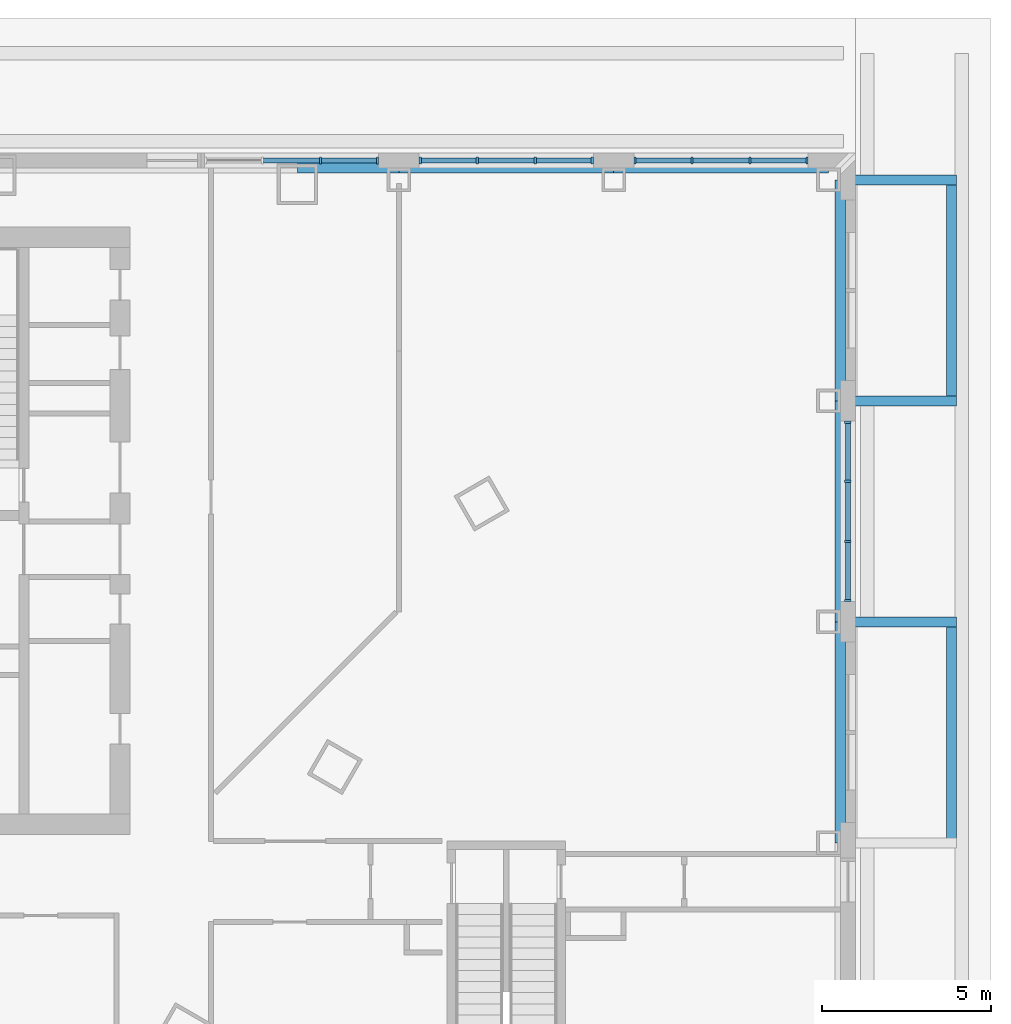
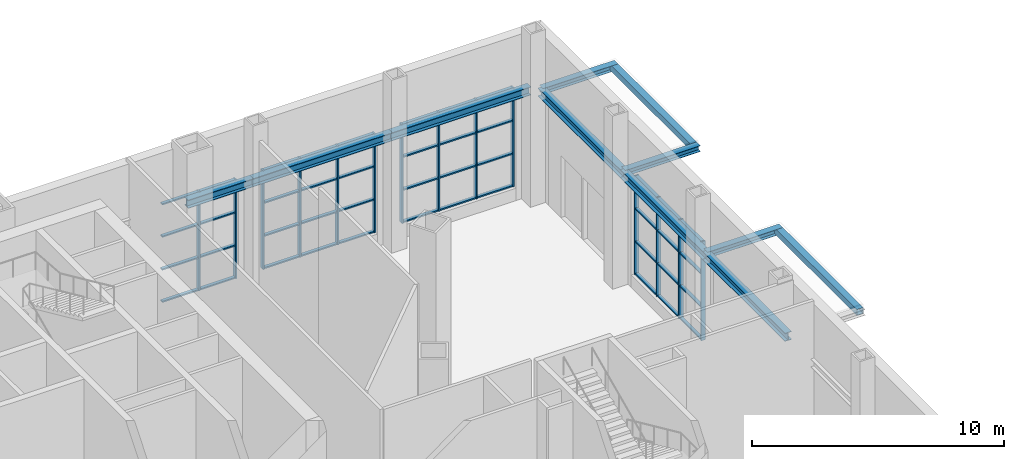
# One storey, part 12 of 34: 58 members, 11 beams, 4 elements without a shape of their own.
"""IFC4 building model written with IfcOpenShell, lengths in metres."""

import ifcopenshell
import ifcopenshell.guid

model = None  # the IFC model being written
_history = None  # IfcOwnerHistory: only IFC2X3 demands one
_inside = {}  # id of a spatial element -> (the spatial element, [elements in it])
_under = {}  # id of a project, library or spatial element -> (it, [spatial elements below it])
_declared = {}  # id of a project -> (the project, [libraries it declares])
_typed = {}  # id of a type object -> (the type object, [elements of that type])
_made_of = {}  # id of a material, layer set ... -> (it, [elements and type objects made of it])


def new_model(schema):
    """Start an empty IFC model of exactly this schema.

    Asked for "IFC4X3", IfcOpenShell would pick the latest addendum, in which some entities
    have other attributes; the version numbers below select the first issue.
    IFC2X3 requires an IfcOwnerHistory on every rooted entity: one is made here for all.
    """
    global model, _history
    if schema == "IFC4X3":
        model = ifcopenshell.file(schema_version=(4, 3, 0, 0))
    else:
        model = ifcopenshell.file(schema=schema)
    _inside.clear()
    _under.clear()
    _declared.clear()
    _typed.clear()
    _made_of.clear()
    _history = None
    if model.schema == "IFC2X3":
        org = make("IfcOrganization", Name="unknown")
        user = make(
            "IfcPersonAndOrganization",
            ThePerson=make("IfcPerson", FamilyName="unknown"),
            TheOrganization=org,
        )
        app = make(
            "IfcApplication",
            ApplicationDeveloper=org,
            Version="unknown",
            ApplicationFullName="unknown",
            ApplicationIdentifier="unknown",
        )
        _history = make(
            "IfcOwnerHistory",
            OwningUser=user,
            OwningApplication=app,
            ChangeAction="ADDED",
            CreationDate=0,
        )
    return model


def make(cls, **values):
    """One entity of the class cls with the attributes given. An attribute that is None is left unset."""
    return model.create_entity(
        cls, **{name: value for name, value in values.items() if value is not None}
    )


def rooted(cls, **values):
    """An entity with a GlobalId (a new one), such as an element, a storey or a relation."""
    return make(cls, GlobalId=ifcopenshell.guid.new(), OwnerHistory=_history, **values)


def si_unit(unit_type, name, prefix=None):
    """IfcSIUnit, for example si_unit("LENGTHUNIT", "METRE", prefix="MILLI")."""
    return make("IfcSIUnit", UnitType=unit_type, Prefix=prefix, Name=name)


def assignment(units):
    """IfcUnitAssignment: the units of a project."""
    return None if units is None else make("IfcUnitAssignment", Units=units)


def point(xyz):
    """IfcCartesianPoint."""
    return None if xyz is None else make("IfcCartesianPoint", Coordinates=xyz)


def direction(xyz):
    """IfcDirection."""
    return None if xyz is None else make("IfcDirection", DirectionRatios=xyz)


def frame(location, z_axis=None, x_axis=None):
    """IfcAxis2Placement3D, a coordinate frame: its origin and axes. An axis left out is left unset."""
    return make(
        "IfcAxis2Placement3D",
        Location=point(location),
        Axis=direction(z_axis),
        RefDirection=direction(x_axis),
    )


def frame_2d(location, x_axis=None):
    """IfcAxis2Placement2D, a coordinate frame in the plane: its origin and x axis."""
    return make(
        "IfcAxis2Placement2D", Location=point(location), RefDirection=direction(x_axis)
    )


def origin():
    """The frame at (0, 0, 0) with its axes left unset."""
    return frame((0.0, 0.0, 0.0))


def origin_2d():
    """The frame at (0, 0) in the plane with its x axis left unset."""
    return frame_2d((0.0, 0.0))


def place(relative_to, where):
    """IfcLocalPlacement: puts the frame where relative to a parent placement (None: the world)."""
    return make(
        "IfcLocalPlacement", PlacementRelTo=relative_to, RelativePlacement=where
    )


def context(
    kind, dimensions, precision=None, world=None, true_north=None, identifier=None
):
    """IfcGeometricRepresentationContext, for example the 3D "Model" context."""
    return make(
        "IfcGeometricRepresentationContext",
        ContextIdentifier=identifier,
        ContextType=kind,
        CoordinateSpaceDimension=dimensions,
        Precision=precision,
        WorldCoordinateSystem=world,
        TrueNorth=true_north,
    )


def subcontext(parent, identifier, kind, view, scale=None):
    """IfcGeometricRepresentationSubContext, for example "Body" below "Model"."""
    return make(
        "IfcGeometricRepresentationSubContext",
        ContextIdentifier=identifier,
        ContextType=kind,
        ParentContext=parent,
        TargetScale=scale,
        TargetView=view,
    )


def project(units=None, contexts=None):
    """IfcProject with its units and contexts."""
    return rooted(
        "IfcProject",
        Name="project",
        RepresentationContexts=contexts,
        UnitsInContext=assignment(units),
    )


def spatial(cls, under=None, at=None, **own):
    """A site, building, storey or space (cls), placed at a placement, below another one or the project."""
    s = rooted(cls, ObjectPlacement=at, **own)
    if under is not None:
        _under.setdefault(under.id(), (under, []))[1].append(s)
    return s


def profile(cls, at=None, kind="AREA", **sizes):
    """A parametric profile (cls). Its sizes go by their IFC names, for example OverallWidth=200.0."""
    return make(cls, ProfileType=kind, Position=at, **sizes)


def rectangle(**sizes):
    """IfcRectangleProfileDef."""
    return profile("IfcRectangleProfileDef", **sizes)


def hollow_rectangle(**sizes):
    """IfcRectangleHollowProfileDef."""
    return profile("IfcRectangleHollowProfileDef", **sizes)


def i_section(**sizes):
    """IfcIShapeProfileDef."""
    return profile("IfcIShapeProfileDef", **sizes)


def extrude(swept, where, along, depth):
    """IfcExtrudedAreaSolid: the profile swept, set in the frame where, extruded along a direction by depth."""
    return make(
        "IfcExtrudedAreaSolid",
        SweptArea=swept,
        Position=where,
        ExtrudedDirection=direction(along),
        Depth=depth,
    )


def shape(context_of_items, identifier, shape_type, items):
    """IfcShapeRepresentation: the items that make up one representation, for example the "Body"."""
    return make(
        "IfcShapeRepresentation",
        ContextOfItems=context_of_items,
        RepresentationIdentifier=identifier,
        RepresentationType=shape_type,
        Items=items,
    )


def material(Name=None, Category=None):
    """IfcMaterial."""
    return make("IfcMaterial", Name=Name, Category=Category)


def layer(
    of_material, thickness, ventilated=None, Name=None, Category=None, Priority=None
):
    """IfcMaterialLayer: one layer of a wall or slab, of a material (None: an air gap)."""
    return make(
        "IfcMaterialLayer",
        Material=of_material,
        LayerThickness=thickness,
        IsVentilated=ventilated,
        Name=Name,
        Category=Category,
        Priority=Priority,
    )


def layer_set(layers, Name=None):
    """IfcMaterialLayerSet."""
    return make("IfcMaterialLayerSet", MaterialLayers=layers, LayerSetName=Name)


def material_profile(
    of_material, cross_section, Name=None, Category=None, Priority=None
):
    """IfcMaterialProfile: a cross section and its material."""
    return make(
        "IfcMaterialProfile",
        Name=Name,
        Material=of_material,
        Profile=cross_section,
        Priority=Priority,
        Category=Category,
    )


def profile_set(profiles, Name=None, composite=None):
    """IfcMaterialProfileSet."""
    return make(
        "IfcMaterialProfileSet",
        Name=Name,
        MaterialProfiles=profiles,
        CompositeProfile=composite,
    )


def made_of(thing, what):
    """Note that an element or type object is made of a material, layer set ...; save() writes the relation."""
    if what is not None:
        _made_of.setdefault(what.id(), (what, []))[1].append(thing)
    return thing


def type_object(cls, material=None, **own):
    """A type object (cls), such as IfcWallType, which elements share."""
    return made_of(rooted(cls, **own), material)


def element(
    cls,
    number,
    at=None,
    inside=None,
    cuts=None,
    type_object=None,
    material=None,
    context=None,
    identifier="Body",
    shape_type=None,
    held_by="IfcProductDefinitionShape",
    body=None,
    shapes=None,
    **own,
):
    """One element of the class cls, such as IfcWall. Its Tag is "e" and its number.

    at: its placement. inside: the storey or other place that contains it. cuts: it is an
    opening in that element (IfcRelVoidsElement). A single representation is given by context,
    identifier, shape_type and body (its items); several are given by shapes. held_by: the class
    of the entity that holds the representations. save() writes the other relations.
    """
    e = rooted(cls, Tag="e%d" % number, ObjectPlacement=at, **own)
    if body is not None:
        shapes = [shape(context, identifier, shape_type, body)]
    if shapes is not None:
        e.Representation = make(held_by, Representations=shapes)
    if inside is not None:
        _inside.setdefault(inside.id(), (inside, []))[1].append(e)
    if cuts is not None:
        rooted(
            "IfcRelVoidsElement", RelatingBuildingElement=cuts, RelatedOpeningElement=e
        )
    if type_object is not None:
        _typed.setdefault(type_object.id(), (type_object, []))[1].append(e)
    return made_of(e, material)


def aggregate(whole, parts):
    """IfcRelAggregates: a whole, such as a stair, and the parts it consists of."""
    return rooted("IfcRelAggregates", RelatingObject=whole, RelatedObjects=parts)


def save(model, path):
    """Write the relations noted so far, then the file.

    IfcRelAggregates (storeys below a building ...), IfcRelContainedInSpatialStructure (elements
    in a storey), IfcRelDefinesByType, IfcRelAssociatesMaterial and IfcRelDeclares: one each for
    every whole, place, type object, material and project.
    """
    for whole, parts in _under.values():
        aggregate(whole, parts)
    for where, things in _inside.values():
        rooted(
            "IfcRelContainedInSpatialStructure",
            RelatedElements=things,
            RelatingStructure=where,
        )
    for kind, things in _typed.values():
        rooted("IfcRelDefinesByType", RelatedObjects=things, RelatingType=kind)
    for what, things in _made_of.values():
        rooted("IfcRelAssociatesMaterial", RelatedObjects=things, RelatingMaterial=what)
    for by, libraries in _declared.values():
        rooted("IfcRelDeclares", RelatingContext=by, RelatedDefinitions=libraries)
    model.write(path)


model = new_model("IFC4")

# Units and contexts
model_context = context("Model", 3, precision=1e-05, world=origin(), true_north=direction((0.0, 1.0)))
body_context = subcontext(model_context, "Body", "Model", "MODEL_VIEW")
ifc_project = project(units=[si_unit("LENGTHUNIT", "METRE"), si_unit("AREAUNIT", "SQUARE_METRE"), si_unit("VOLUMEUNIT", "CUBIC_METRE"), si_unit("PLANEANGLEUNIT", "RADIAN"), si_unit("MASSUNIT", "GRAM", prefix="KILO")], contexts=[model_context])

# Site, building, storey
site_placement = place(None, origin())
site = spatial("IfcSite", under=ifc_project, at=site_placement, CompositionType="ELEMENT")
building_placement = place(site_placement, origin())
building = spatial("IfcBuilding", under=site, at=building_placement, Name="Njiva Tower", CompositionType="ELEMENT")
storey_placement = place(building_placement, origin())
storey = spatial("IfcBuildingStorey", under=building, at=storey_placement, Name="L00", CompositionType="ELEMENT", Elevation=0.0)

# Beams
ifc_material_1 = material(Name="Steel S355 J2", Category="steel")
ifc_material_profile_1 = material_profile(ifc_material_1, i_section(OverallWidth=0.3, OverallDepth=0.29, WebThickness=0.0085, FlangeThickness=0.014, at=origin_2d()), Name="HEA300")
ifc_profile_set_1 = profile_set([ifc_material_profile_1], Name="Steel S355 J2")
beam_type_1 = type_object("IfcBeamType", Name="B90 Canopy cantilever beam HEA 300", PredefinedType="BEAM", material=ifc_profile_set_1)
for number, where, z_axis, x_axis, name in (
    (1, (38.55, 6.3, 5.255), (1.0, 0.0, 0.0), (0.0, 1.0, 0.0), "Canopy beam"),
    (2, (38.55, 12.85, 5.255), (1.0, 0.0, 0.0), (0.0, 1.0, 0.0), "Canopy beam"),
    (3, (38.55, 19.4, 5.255), (1.0, 0.0, 0.0), (0.0, 1.0, 0.0), "Canopy beam"),
):
    element("IfcBeam", number, at=place(storey_placement, frame(where, z_axis=z_axis, x_axis=x_axis)), inside=storey, type_object=beam_type_1, Name=name, PredefinedType="BEAM", context=body_context, shape_type="SweptSolid", body=[
        extrude(i_section(OverallWidth=0.3, OverallDepth=0.29, WebThickness=0.0085, FlangeThickness=0.014, at=origin_2d()), origin(), (0.0, 0.0, 1.0), 3.45),
    ])
ifc_material_2 = material(Name="Steel S355 J2H", Category="steel")
ifc_material_profile_2 = material_profile(ifc_material_2, hollow_rectangle(XDim=0.3, YDim=0.29, WallThickness=0.01, at=origin_2d()), Name="BOX 290x300x10")
ifc_profile_set_2 = profile_set([ifc_material_profile_2], Name="Steel S355 J2H")
beam_type_2 = type_object("IfcBeamType", Name="B91 Canopy tip beam RHS 290x300x10", PredefinedType="BEAM", material=ifc_profile_set_2)
for number, where, z_axis, x_axis, name in (
    (4, (41.85, -0.25, 5.255), (0.0, 1.0, 0.0), (-1.0, 0.0, 0.0), "Canopy tip beam"),
    (5, (41.85, 12.85, 5.255), (0.0, 1.0, 0.0), (-1.0, 0.0, 0.0), "Canopy tip beam"),
):
    element("IfcBeam", number, at=place(storey_placement, frame(where, z_axis=z_axis, x_axis=x_axis)), inside=storey, type_object=beam_type_2, Name=name, PredefinedType="BEAM", context=body_context, shape_type="SweptSolid", body=[
        extrude(hollow_rectangle(XDim=0.3, YDim=0.29, WallThickness=0.01, at=origin_2d()), origin(), (0.0, 0.0, 1.0), 6.55),
    ])
ifc_material_profile_3 = material_profile(ifc_material_1, i_section(OverallWidth=0.3, OverallDepth=0.4, WebThickness=0.0135, FlangeThickness=0.024, at=origin_2d()), Name="HEB400")
ifc_profile_set_3 = profile_set([ifc_material_profile_3], Name="Steel S355 J2")
beam_type_3 = type_object("IfcBeamType", Name="B92 Podium lintel beam HEB 400", PredefinedType="BEAM", material=ifc_profile_set_3)
for number, where, z_axis, x_axis, name in (
    (6, (38.55, -0.25, 5.2), (0.0, 1.0, 0.0), (-1.0, 0.0, 0.0), "Podium lintel beam"),
    (7, (38.55, 6.3, 5.2), (0.0, 1.0, 0.0), (-1.0, 0.0, 0.0), "Podium lintel beam"),
    (8, (38.55, 12.85, 5.2), (0.0, 1.0, 0.0), (-1.0, 0.0, 0.0), "Podium lintel beam"),
):
    element("IfcBeam", number, at=place(storey_placement, frame(where, z_axis=z_axis, x_axis=x_axis)), inside=storey, type_object=beam_type_3, Name=name, PredefinedType="BEAM", context=body_context, shape_type="SweptSolid", body=[
        extrude(i_section(OverallWidth=0.3, OverallDepth=0.4, WebThickness=0.0135, FlangeThickness=0.024, at=origin_2d()), origin(), (0.0, 0.0, 1.0), 6.55),
    ])
beam_1_placement = place(storey_placement, frame((38.2, 19.75, 5.2), z_axis=(-1.0, 0.0, 0.0), x_axis=(0.0, -1.0, 0.0)))
element("IfcBeam", 9, at=beam_1_placement, inside=storey, type_object=beam_type_3, Name="Podium lintel beam", PredefinedType="BEAM", context=body_context, shape_type="SweptSolid", body=[
    extrude(i_section(OverallWidth=0.3, OverallDepth=0.4, WebThickness=0.0135, FlangeThickness=0.024, at=origin_2d()), origin(), (0.0, 0.0, 1.0), 6.367),
])
beam_2_placement = place(storey_placement, frame((31.833, 19.75, 5.2), z_axis=(-1.0, 0.0, 0.0), x_axis=(0.0, -1.0, 0.0)))
element("IfcBeam", 10, at=beam_2_placement, inside=storey, type_object=beam_type_3, Name="Podium lintel beam", PredefinedType="BEAM", context=body_context, shape_type="SweptSolid", body=[
    extrude(i_section(OverallWidth=0.3, OverallDepth=0.4, WebThickness=0.0135, FlangeThickness=0.024, at=origin_2d()), origin(), (0.0, 0.0, 1.0), 6.366),
])
beam_3_placement = place(storey_placement, frame((25.467, 19.75, 5.2), z_axis=(-1.0, 0.0, 0.0), x_axis=(0.0, -1.0, 0.0)))
element("IfcBeam", 11, at=beam_3_placement, inside=storey, type_object=beam_type_3, Name="Podium lintel beam", PredefinedType="BEAM", context=body_context, shape_type="SweptSolid", body=[
    extrude(i_section(OverallWidth=0.3, OverallDepth=0.4, WebThickness=0.0135, FlangeThickness=0.024, at=origin_2d()), origin(), (0.0, 0.0, 1.0), 3.006),
])

# Curtain wall, members
ifc_material_3 = material(Name="Glazed curtain wall", Category="glass")
ifc_layer = layer(ifc_material_3, 0.2)
ifc_layer_set = layer_set([ifc_layer], Name="Glazed curtain wall")
curtain_wall_type = type_object("IfcCurtainWallType", Name="CW1 Shopfront glazing", PredefinedType="NOTDEFINED", material=ifc_layer_set)
curtain_wall_1_placement = place(storey_placement, origin())
curtain_wall_1 = element("IfcCurtainWall", 12, at=curtain_wall_1_placement, inside=storey, type_object=curtain_wall_type, Name="Shopfront E7", PredefinedType="NOTDEFINED")
ifc_material_4 = material(Name="Aluminium mullion", Category="aluminium")
ifc_material_profile_4 = material_profile(ifc_material_4, rectangle(XDim=0.2, YDim=0.065, at=origin_2d()), Name="RECT 200x65")
ifc_profile_set_4 = profile_set([ifc_material_profile_4], Name="Aluminium mullion")
member_type_1 = type_object("IfcMemberType", Name="CW1-M Shopfront mullion 200x65", PredefinedType="MULLION", material=ifc_profile_set_4)
member_1_placement = place(storey_placement, frame((38.775, 6.9325, 0.6), z_axis=(0.0, 0.0, 1.0), x_axis=(-1.0, 0.0, 0.0)))
member_1 = element("IfcMember", 13, at=member_1_placement, type_object=member_type_1, Name="CW1-E7 mullion 1", PredefinedType="MULLION", context=body_context, shape_type="SweptSolid", body=[
    extrude(rectangle(XDim=0.2, YDim=0.065, at=origin_2d()), origin(), (0.0, 0.0, 1.0), 4.8),
])
member_2_placement = place(storey_placement, frame((38.775, 8.6833, 0.6), z_axis=(0.0, 0.0, 1.0), x_axis=(-1.0, 0.0, 0.0)))
member_2 = element("IfcMember", 14, at=member_2_placement, type_object=member_type_1, Name="CW1-E7 mullion 2", PredefinedType="MULLION", context=body_context, shape_type="SweptSolid", body=[
    extrude(rectangle(XDim=0.2, YDim=0.065, at=origin_2d()), origin(), (0.0, 0.0, 1.0), 4.8),
])
member_3_placement = place(storey_placement, frame((38.775, 10.4667, 0.6), z_axis=(0.0, 0.0, 1.0), x_axis=(-1.0, 0.0, 0.0)))
member_3 = element("IfcMember", 15, at=member_3_placement, type_object=member_type_1, Name="CW1-E7 mullion 3", PredefinedType="MULLION", context=body_context, shape_type="SweptSolid", body=[
    extrude(rectangle(XDim=0.2, YDim=0.065, at=origin_2d()), origin(), (0.0, 0.0, 1.0), 4.8),
])
member_4_placement = place(storey_placement, frame((38.775, 12.2175, 0.6), z_axis=(0.0, 0.0, 1.0), x_axis=(-1.0, 0.0, 0.0)))
member_4 = element("IfcMember", 16, at=member_4_placement, type_object=member_type_1, Name="CW1-E7 mullion 4", PredefinedType="MULLION", context=body_context, shape_type="SweptSolid", body=[
    extrude(rectangle(XDim=0.2, YDim=0.065, at=origin_2d()), origin(), (0.0, 0.0, 1.0), 4.8),
])

curtain_wall_2_placement = place(storey_placement, origin())
curtain_wall_2 = element("IfcCurtainWall", 17, at=curtain_wall_2_placement, inside=storey, type_object=curtain_wall_type, Name="Shopfront N1", PredefinedType="NOTDEFINED")
member_5_placement = place(storey_placement, frame((37.5675, 19.975, 0.6), z_axis=(0.0, 0.0, 1.0), x_axis=(0.0, -1.0, 0.0)))
member_5 = element("IfcMember", 18, at=member_5_placement, type_object=member_type_1, Name="CW1-N1 mullion 1", PredefinedType="MULLION", context=body_context, shape_type="SweptSolid", body=[
    extrude(rectangle(XDim=0.2, YDim=0.065, at=origin_2d()), origin(), (0.0, 0.0, 1.0), 4.8),
])
member_6_placement = place(storey_placement, frame((35.8778, 19.975, 0.6), z_axis=(0.0, 0.0, 1.0), x_axis=(0.0, -1.0, 0.0)))
member_6 = element("IfcMember", 19, at=member_6_placement, type_object=member_type_1, Name="CW1-N1 mullion 2", PredefinedType="MULLION", context=body_context, shape_type="SweptSolid", body=[
    extrude(rectangle(XDim=0.2, YDim=0.065, at=origin_2d()), origin(), (0.0, 0.0, 1.0), 4.8),
])
member_7_placement = place(storey_placement, frame((34.1555, 19.975, 0.6), z_axis=(0.0, 0.0, 1.0), x_axis=(0.0, -1.0, 0.0)))
member_7 = element("IfcMember", 20, at=member_7_placement, type_object=member_type_1, Name="CW1-N1 mullion 3", PredefinedType="MULLION", context=body_context, shape_type="SweptSolid", body=[
    extrude(rectangle(XDim=0.2, YDim=0.065, at=origin_2d()), origin(), (0.0, 0.0, 1.0), 4.8),
])
member_8_placement = place(storey_placement, frame((32.4658, 19.975, 0.6), z_axis=(0.0, 0.0, 1.0), x_axis=(0.0, -1.0, 0.0)))
member_8 = element("IfcMember", 21, at=member_8_placement, type_object=member_type_1, Name="CW1-N1 mullion 4", PredefinedType="MULLION", context=body_context, shape_type="SweptSolid", body=[
    extrude(rectangle(XDim=0.2, YDim=0.065, at=origin_2d()), origin(), (0.0, 0.0, 1.0), 4.8),
])

curtain_wall_3_placement = place(storey_placement, origin())
curtain_wall_3 = element("IfcCurtainWall", 22, at=curtain_wall_3_placement, inside=storey, type_object=curtain_wall_type, Name="Shopfront N2", PredefinedType="NOTDEFINED")
member_9_placement = place(storey_placement, frame((31.2008, 19.975, 0.6), z_axis=(0.0, 0.0, 1.0), x_axis=(0.0, -1.0, 0.0)))
member_9 = element("IfcMember", 23, at=member_9_placement, type_object=member_type_1, Name="CW1-N2 mullion 1", PredefinedType="MULLION", context=body_context, shape_type="SweptSolid", body=[
    extrude(rectangle(XDim=0.2, YDim=0.065, at=origin_2d()), origin(), (0.0, 0.0, 1.0), 4.8),
])
member_10_placement = place(storey_placement, frame((29.5111, 19.975, 0.6), z_axis=(0.0, 0.0, 1.0), x_axis=(0.0, -1.0, 0.0)))
member_10 = element("IfcMember", 24, at=member_10_placement, type_object=member_type_1, Name="CW1-N2 mullion 2", PredefinedType="MULLION", context=body_context, shape_type="SweptSolid", body=[
    extrude(rectangle(XDim=0.2, YDim=0.065, at=origin_2d()), origin(), (0.0, 0.0, 1.0), 4.8),
])
member_11_placement = place(storey_placement, frame((27.7889, 19.975, 0.6), z_axis=(0.0, 0.0, 1.0), x_axis=(0.0, -1.0, 0.0)))
member_11 = element("IfcMember", 25, at=member_11_placement, type_object=member_type_1, Name="CW1-N2 mullion 3", PredefinedType="MULLION", context=body_context, shape_type="SweptSolid", body=[
    extrude(rectangle(XDim=0.2, YDim=0.065, at=origin_2d()), origin(), (0.0, 0.0, 1.0), 4.8),
])
member_12_placement = place(storey_placement, frame((26.0992, 19.975, 0.6), z_axis=(0.0, 0.0, 1.0), x_axis=(0.0, -1.0, 0.0)))
member_12 = element("IfcMember", 26, at=member_12_placement, type_object=member_type_1, Name="CW1-N2 mullion 4", PredefinedType="MULLION", context=body_context, shape_type="SweptSolid", body=[
    extrude(rectangle(XDim=0.2, YDim=0.065, at=origin_2d()), origin(), (0.0, 0.0, 1.0), 4.8),
])

curtain_wall_4_placement = place(storey_placement, origin())
curtain_wall_4 = element("IfcCurtainWall", 27, at=curtain_wall_4_placement, inside=storey, type_object=curtain_wall_type, Name="Shopfront N3", PredefinedType="NOTDEFINED")
member_13_placement = place(storey_placement, frame((24.8342, 19.975, 0.6), z_axis=(0.0, 0.0, 1.0), x_axis=(0.0, -1.0, 0.0)))
member_13 = element("IfcMember", 28, at=member_13_placement, type_object=member_type_1, Name="CW1-N3 mullion 1", PredefinedType="MULLION", context=body_context, shape_type="SweptSolid", body=[
    extrude(rectangle(XDim=0.2, YDim=0.065, at=origin_2d()), origin(), (0.0, 0.0, 1.0), 4.8),
])
member_14_placement = place(storey_placement, frame((23.1445, 19.975, 0.6), z_axis=(0.0, 0.0, 1.0), x_axis=(0.0, -1.0, 0.0)))
member_14 = element("IfcMember", 29, at=member_14_placement, type_object=member_type_1, Name="CW1-N3 mullion 2", PredefinedType="MULLION", context=body_context, shape_type="SweptSolid", body=[
    extrude(rectangle(XDim=0.2, YDim=0.065, at=origin_2d()), origin(), (0.0, 0.0, 1.0), 4.8),
])

# Member
ifc_material_5 = material(Name="Aluminium transom", Category="aluminium")
ifc_material_profile_5 = material_profile(ifc_material_5, rectangle(XDim=0.15, YDim=0.065, at=origin_2d()), Name="RECT 150x65")
ifc_profile_set_5 = profile_set([ifc_material_profile_5], Name="Aluminium transom")
member_type_2 = type_object("IfcMemberType", Name="CW1-T Shopfront transom 150x65", PredefinedType="USERDEFINED", material=ifc_profile_set_5)
member_15_placement = place(storey_placement, frame((38.775, 6.965, 0.6325), z_axis=(0.0, 1.0, 0.0), x_axis=(-1.0, 0.0, 0.0)))
member_15 = element("IfcMember", 30, at=member_15_placement, type_object=member_type_2, Name="CW1-E7 transom 1.1", ObjectType="TRANSOM", PredefinedType="USERDEFINED", context=body_context, shape_type="SweptSolid", body=[
    extrude(rectangle(XDim=0.15, YDim=0.065, at=origin_2d()), origin(), (0.0, 0.0, 1.0), 1.6858),
])

member_16_placement = place(storey_placement, frame((38.775, 6.965, 2.2), z_axis=(0.0, 1.0, 0.0), x_axis=(-1.0, 0.0, 0.0)))
member_16 = element("IfcMember", 31, at=member_16_placement, type_object=member_type_2, Name="CW1-E7 transom 1.2", ObjectType="TRANSOM", PredefinedType="USERDEFINED", context=body_context, shape_type="SweptSolid", body=[
    extrude(rectangle(XDim=0.15, YDim=0.065, at=origin_2d()), origin(), (0.0, 0.0, 1.0), 1.6858),
])

member_17_placement = place(storey_placement, frame((38.775, 6.965, 3.8), z_axis=(0.0, 1.0, 0.0), x_axis=(-1.0, 0.0, 0.0)))
member_17 = element("IfcMember", 32, at=member_17_placement, type_object=member_type_2, Name="CW1-E7 transom 1.3", ObjectType="TRANSOM", PredefinedType="USERDEFINED", context=body_context, shape_type="SweptSolid", body=[
    extrude(rectangle(XDim=0.15, YDim=0.065, at=origin_2d()), origin(), (0.0, 0.0, 1.0), 1.6858),
])

member_18_placement = place(storey_placement, frame((38.775, 6.965, 5.3675), z_axis=(0.0, 1.0, 0.0), x_axis=(-1.0, 0.0, 0.0)))
member_18 = element("IfcMember", 33, at=member_18_placement, type_object=member_type_2, Name="CW1-E7 transom 1.4", ObjectType="TRANSOM", PredefinedType="USERDEFINED", context=body_context, shape_type="SweptSolid", body=[
    extrude(rectangle(XDim=0.15, YDim=0.065, at=origin_2d()), origin(), (0.0, 0.0, 1.0), 1.6858),
])

member_19_placement = place(storey_placement, frame((38.775, 8.7158, 0.6325), z_axis=(0.0, 1.0, 0.0), x_axis=(-1.0, 0.0, 0.0)))
member_19 = element("IfcMember", 34, at=member_19_placement, type_object=member_type_2, Name="CW1-E7 transom 2.1", ObjectType="TRANSOM", PredefinedType="USERDEFINED", context=body_context, shape_type="SweptSolid", body=[
    extrude(rectangle(XDim=0.15, YDim=0.065, at=origin_2d()), origin(), (0.0, 0.0, 1.0), 1.7184),
])

member_20_placement = place(storey_placement, frame((38.775, 8.7158, 2.2), z_axis=(0.0, 1.0, 0.0), x_axis=(-1.0, 0.0, 0.0)))
member_20 = element("IfcMember", 35, at=member_20_placement, type_object=member_type_2, Name="CW1-E7 transom 2.2", ObjectType="TRANSOM", PredefinedType="USERDEFINED", context=body_context, shape_type="SweptSolid", body=[
    extrude(rectangle(XDim=0.15, YDim=0.065, at=origin_2d()), origin(), (0.0, 0.0, 1.0), 1.7184),
])

member_21_placement = place(storey_placement, frame((38.775, 8.7158, 3.8), z_axis=(0.0, 1.0, 0.0), x_axis=(-1.0, 0.0, 0.0)))
member_21 = element("IfcMember", 36, at=member_21_placement, type_object=member_type_2, Name="CW1-E7 transom 2.3", ObjectType="TRANSOM", PredefinedType="USERDEFINED", context=body_context, shape_type="SweptSolid", body=[
    extrude(rectangle(XDim=0.15, YDim=0.065, at=origin_2d()), origin(), (0.0, 0.0, 1.0), 1.7184),
])

member_22_placement = place(storey_placement, frame((38.775, 8.7158, 5.3675), z_axis=(0.0, 1.0, 0.0), x_axis=(-1.0, 0.0, 0.0)))
member_22 = element("IfcMember", 37, at=member_22_placement, type_object=member_type_2, Name="CW1-E7 transom 2.4", ObjectType="TRANSOM", PredefinedType="USERDEFINED", context=body_context, shape_type="SweptSolid", body=[
    extrude(rectangle(XDim=0.15, YDim=0.065, at=origin_2d()), origin(), (0.0, 0.0, 1.0), 1.7184),
])

member_23_placement = place(storey_placement, frame((38.775, 10.4992, 0.6325), z_axis=(0.0, 1.0, 0.0), x_axis=(-1.0, 0.0, 0.0)))
member_23 = element("IfcMember", 38, at=member_23_placement, type_object=member_type_2, Name="CW1-E7 transom 3.1", ObjectType="TRANSOM", PredefinedType="USERDEFINED", context=body_context, shape_type="SweptSolid", body=[
    extrude(rectangle(XDim=0.15, YDim=0.065, at=origin_2d()), origin(), (0.0, 0.0, 1.0), 1.6858),
])

member_24_placement = place(storey_placement, frame((38.775, 10.4992, 2.2), z_axis=(0.0, 1.0, 0.0), x_axis=(-1.0, 0.0, 0.0)))
member_24 = element("IfcMember", 39, at=member_24_placement, type_object=member_type_2, Name="CW1-E7 transom 3.2", ObjectType="TRANSOM", PredefinedType="USERDEFINED", context=body_context, shape_type="SweptSolid", body=[
    extrude(rectangle(XDim=0.15, YDim=0.065, at=origin_2d()), origin(), (0.0, 0.0, 1.0), 1.6858),
])

member_25_placement = place(storey_placement, frame((38.775, 10.4992, 3.8), z_axis=(0.0, 1.0, 0.0), x_axis=(-1.0, 0.0, 0.0)))
member_25 = element("IfcMember", 40, at=member_25_placement, type_object=member_type_2, Name="CW1-E7 transom 3.3", ObjectType="TRANSOM", PredefinedType="USERDEFINED", context=body_context, shape_type="SweptSolid", body=[
    extrude(rectangle(XDim=0.15, YDim=0.065, at=origin_2d()), origin(), (0.0, 0.0, 1.0), 1.6858),
])

member_26_placement = place(storey_placement, frame((38.775, 10.4992, 5.3675), z_axis=(0.0, 1.0, 0.0), x_axis=(-1.0, 0.0, 0.0)))
member_26 = element("IfcMember", 41, at=member_26_placement, type_object=member_type_2, Name="CW1-E7 transom 3.4", ObjectType="TRANSOM", PredefinedType="USERDEFINED", context=body_context, shape_type="SweptSolid", body=[
    extrude(rectangle(XDim=0.15, YDim=0.065, at=origin_2d()), origin(), (0.0, 0.0, 1.0), 1.6858),
])

aggregate(curtain_wall_1, [member_1, member_2, member_3, member_4, member_15, member_16, member_17, member_18, member_19, member_20, member_21, member_22, member_23, member_24, member_25, member_26])

member_27_placement = place(storey_placement, frame((37.535, 19.975, 0.6325), z_axis=(-1.0, 0.0, 0.0), x_axis=(0.0, -1.0, 0.0)))
member_27 = element("IfcMember", 42, at=member_27_placement, type_object=member_type_2, Name="CW1-N1 transom 1.1", ObjectType="TRANSOM", PredefinedType="USERDEFINED", context=body_context, shape_type="SweptSolid", body=[
    extrude(rectangle(XDim=0.15, YDim=0.065, at=origin_2d()), origin(), (0.0, 0.0, 1.0), 1.6247),
])

member_28_placement = place(storey_placement, frame((37.535, 19.975, 2.2), z_axis=(-1.0, 0.0, 0.0), x_axis=(0.0, -1.0, 0.0)))
member_28 = element("IfcMember", 43, at=member_28_placement, type_object=member_type_2, Name="CW1-N1 transom 1.2", ObjectType="TRANSOM", PredefinedType="USERDEFINED", context=body_context, shape_type="SweptSolid", body=[
    extrude(rectangle(XDim=0.15, YDim=0.065, at=origin_2d()), origin(), (0.0, 0.0, 1.0), 1.6247),
])

member_29_placement = place(storey_placement, frame((37.535, 19.975, 3.8), z_axis=(-1.0, 0.0, 0.0), x_axis=(0.0, -1.0, 0.0)))
member_29 = element("IfcMember", 44, at=member_29_placement, type_object=member_type_2, Name="CW1-N1 transom 1.3", ObjectType="TRANSOM", PredefinedType="USERDEFINED", context=body_context, shape_type="SweptSolid", body=[
    extrude(rectangle(XDim=0.15, YDim=0.065, at=origin_2d()), origin(), (0.0, 0.0, 1.0), 1.6247),
])

member_30_placement = place(storey_placement, frame((37.535, 19.975, 5.3675), z_axis=(-1.0, 0.0, 0.0), x_axis=(0.0, -1.0, 0.0)))
member_30 = element("IfcMember", 45, at=member_30_placement, type_object=member_type_2, Name="CW1-N1 transom 1.4", ObjectType="TRANSOM", PredefinedType="USERDEFINED", context=body_context, shape_type="SweptSolid", body=[
    extrude(rectangle(XDim=0.15, YDim=0.065, at=origin_2d()), origin(), (0.0, 0.0, 1.0), 1.6247),
])

member_31_placement = place(storey_placement, frame((35.8453, 19.975, 0.6325), z_axis=(-1.0, 0.0, 0.0), x_axis=(0.0, -1.0, 0.0)))
member_31 = element("IfcMember", 46, at=member_31_placement, type_object=member_type_2, Name="CW1-N1 transom 2.1", ObjectType="TRANSOM", PredefinedType="USERDEFINED", context=body_context, shape_type="SweptSolid", body=[
    extrude(rectangle(XDim=0.15, YDim=0.065, at=origin_2d()), origin(), (0.0, 0.0, 1.0), 1.6573),
])

member_32_placement = place(storey_placement, frame((35.8453, 19.975, 2.2), z_axis=(-1.0, 0.0, 0.0), x_axis=(0.0, -1.0, 0.0)))
member_32 = element("IfcMember", 47, at=member_32_placement, type_object=member_type_2, Name="CW1-N1 transom 2.2", ObjectType="TRANSOM", PredefinedType="USERDEFINED", context=body_context, shape_type="SweptSolid", body=[
    extrude(rectangle(XDim=0.15, YDim=0.065, at=origin_2d()), origin(), (0.0, 0.0, 1.0), 1.6573),
])

member_33_placement = place(storey_placement, frame((35.8453, 19.975, 3.8), z_axis=(-1.0, 0.0, 0.0), x_axis=(0.0, -1.0, 0.0)))
member_33 = element("IfcMember", 48, at=member_33_placement, type_object=member_type_2, Name="CW1-N1 transom 2.3", ObjectType="TRANSOM", PredefinedType="USERDEFINED", context=body_context, shape_type="SweptSolid", body=[
    extrude(rectangle(XDim=0.15, YDim=0.065, at=origin_2d()), origin(), (0.0, 0.0, 1.0), 1.6573),
])

member_34_placement = place(storey_placement, frame((35.8453, 19.975, 5.3675), z_axis=(-1.0, 0.0, 0.0), x_axis=(0.0, -1.0, 0.0)))
member_34 = element("IfcMember", 49, at=member_34_placement, type_object=member_type_2, Name="CW1-N1 transom 2.4", ObjectType="TRANSOM", PredefinedType="USERDEFINED", context=body_context, shape_type="SweptSolid", body=[
    extrude(rectangle(XDim=0.15, YDim=0.065, at=origin_2d()), origin(), (0.0, 0.0, 1.0), 1.6573),
])

member_35_placement = place(storey_placement, frame((34.123, 19.975, 0.6325), z_axis=(-1.0, 0.0, 0.0), x_axis=(0.0, -1.0, 0.0)))
member_35 = element("IfcMember", 50, at=member_35_placement, type_object=member_type_2, Name="CW1-N1 transom 3.1", ObjectType="TRANSOM", PredefinedType="USERDEFINED", context=body_context, shape_type="SweptSolid", body=[
    extrude(rectangle(XDim=0.15, YDim=0.065, at=origin_2d()), origin(), (0.0, 0.0, 1.0), 1.6247),
])

member_36_placement = place(storey_placement, frame((34.123, 19.975, 2.2), z_axis=(-1.0, 0.0, 0.0), x_axis=(0.0, -1.0, 0.0)))
member_36 = element("IfcMember", 51, at=member_36_placement, type_object=member_type_2, Name="CW1-N1 transom 3.2", ObjectType="TRANSOM", PredefinedType="USERDEFINED", context=body_context, shape_type="SweptSolid", body=[
    extrude(rectangle(XDim=0.15, YDim=0.065, at=origin_2d()), origin(), (0.0, 0.0, 1.0), 1.6247),
])

member_37_placement = place(storey_placement, frame((34.123, 19.975, 3.8), z_axis=(-1.0, 0.0, 0.0), x_axis=(0.0, -1.0, 0.0)))
member_37 = element("IfcMember", 52, at=member_37_placement, type_object=member_type_2, Name="CW1-N1 transom 3.3", ObjectType="TRANSOM", PredefinedType="USERDEFINED", context=body_context, shape_type="SweptSolid", body=[
    extrude(rectangle(XDim=0.15, YDim=0.065, at=origin_2d()), origin(), (0.0, 0.0, 1.0), 1.6247),
])

member_38_placement = place(storey_placement, frame((34.123, 19.975, 5.3675), z_axis=(-1.0, 0.0, 0.0), x_axis=(0.0, -1.0, 0.0)))
member_38 = element("IfcMember", 53, at=member_38_placement, type_object=member_type_2, Name="CW1-N1 transom 3.4", ObjectType="TRANSOM", PredefinedType="USERDEFINED", context=body_context, shape_type="SweptSolid", body=[
    extrude(rectangle(XDim=0.15, YDim=0.065, at=origin_2d()), origin(), (0.0, 0.0, 1.0), 1.6247),
])

aggregate(curtain_wall_2, [member_5, member_6, member_7, member_8, member_27, member_28, member_29, member_30, member_31, member_32, member_33, member_34, member_35, member_36, member_37, member_38])

member_39_placement = place(storey_placement, frame((31.1683, 19.975, 0.6325), z_axis=(-1.0, 0.0, 0.0), x_axis=(0.0, -1.0, 0.0)))
member_39 = element("IfcMember", 54, at=member_39_placement, type_object=member_type_2, Name="CW1-N2 transom 1.1", ObjectType="TRANSOM", PredefinedType="USERDEFINED", context=body_context, shape_type="SweptSolid", body=[
    extrude(rectangle(XDim=0.15, YDim=0.065, at=origin_2d()), origin(), (0.0, 0.0, 1.0), 1.6247),
])

member_40_placement = place(storey_placement, frame((31.1683, 19.975, 2.2), z_axis=(-1.0, 0.0, 0.0), x_axis=(0.0, -1.0, 0.0)))
member_40 = element("IfcMember", 55, at=member_40_placement, type_object=member_type_2, Name="CW1-N2 transom 1.2", ObjectType="TRANSOM", PredefinedType="USERDEFINED", context=body_context, shape_type="SweptSolid", body=[
    extrude(rectangle(XDim=0.15, YDim=0.065, at=origin_2d()), origin(), (0.0, 0.0, 1.0), 1.6247),
])

member_41_placement = place(storey_placement, frame((31.1683, 19.975, 3.8), z_axis=(-1.0, 0.0, 0.0), x_axis=(0.0, -1.0, 0.0)))
member_41 = element("IfcMember", 56, at=member_41_placement, type_object=member_type_2, Name="CW1-N2 transom 1.3", ObjectType="TRANSOM", PredefinedType="USERDEFINED", context=body_context, shape_type="SweptSolid", body=[
    extrude(rectangle(XDim=0.15, YDim=0.065, at=origin_2d()), origin(), (0.0, 0.0, 1.0), 1.6247),
])

member_42_placement = place(storey_placement, frame((31.1683, 19.975, 5.3675), z_axis=(-1.0, 0.0, 0.0), x_axis=(0.0, -1.0, 0.0)))
member_42 = element("IfcMember", 57, at=member_42_placement, type_object=member_type_2, Name="CW1-N2 transom 1.4", ObjectType="TRANSOM", PredefinedType="USERDEFINED", context=body_context, shape_type="SweptSolid", body=[
    extrude(rectangle(XDim=0.15, YDim=0.065, at=origin_2d()), origin(), (0.0, 0.0, 1.0), 1.6247),
])

member_43_placement = place(storey_placement, frame((29.4786, 19.975, 0.6325), z_axis=(-1.0, 0.0, 0.0), x_axis=(0.0, -1.0, 0.0)))
member_43 = element("IfcMember", 58, at=member_43_placement, type_object=member_type_2, Name="CW1-N2 transom 2.1", ObjectType="TRANSOM", PredefinedType="USERDEFINED", context=body_context, shape_type="SweptSolid", body=[
    extrude(rectangle(XDim=0.15, YDim=0.065, at=origin_2d()), origin(), (0.0, 0.0, 1.0), 1.6572),
])

member_44_placement = place(storey_placement, frame((29.4786, 19.975, 2.2), z_axis=(-1.0, 0.0, 0.0), x_axis=(0.0, -1.0, 0.0)))
member_44 = element("IfcMember", 59, at=member_44_placement, type_object=member_type_2, Name="CW1-N2 transom 2.2", ObjectType="TRANSOM", PredefinedType="USERDEFINED", context=body_context, shape_type="SweptSolid", body=[
    extrude(rectangle(XDim=0.15, YDim=0.065, at=origin_2d()), origin(), (0.0, 0.0, 1.0), 1.6572),
])

member_45_placement = place(storey_placement, frame((29.4786, 19.975, 3.8), z_axis=(-1.0, 0.0, 0.0), x_axis=(0.0, -1.0, 0.0)))
member_45 = element("IfcMember", 60, at=member_45_placement, type_object=member_type_2, Name="CW1-N2 transom 2.3", ObjectType="TRANSOM", PredefinedType="USERDEFINED", context=body_context, shape_type="SweptSolid", body=[
    extrude(rectangle(XDim=0.15, YDim=0.065, at=origin_2d()), origin(), (0.0, 0.0, 1.0), 1.6572),
])

member_46_placement = place(storey_placement, frame((29.4786, 19.975, 5.3675), z_axis=(-1.0, 0.0, 0.0), x_axis=(0.0, -1.0, 0.0)))
member_46 = element("IfcMember", 61, at=member_46_placement, type_object=member_type_2, Name="CW1-N2 transom 2.4", ObjectType="TRANSOM", PredefinedType="USERDEFINED", context=body_context, shape_type="SweptSolid", body=[
    extrude(rectangle(XDim=0.15, YDim=0.065, at=origin_2d()), origin(), (0.0, 0.0, 1.0), 1.6572),
])

member_47_placement = place(storey_placement, frame((27.7564, 19.975, 0.6325), z_axis=(-1.0, 0.0, 0.0), x_axis=(0.0, -1.0, 0.0)))
member_47 = element("IfcMember", 62, at=member_47_placement, type_object=member_type_2, Name="CW1-N2 transom 3.1", ObjectType="TRANSOM", PredefinedType="USERDEFINED", context=body_context, shape_type="SweptSolid", body=[
    extrude(rectangle(XDim=0.15, YDim=0.065, at=origin_2d()), origin(), (0.0, 0.0, 1.0), 1.6247),
])

member_48_placement = place(storey_placement, frame((27.7564, 19.975, 2.2), z_axis=(-1.0, 0.0, 0.0), x_axis=(0.0, -1.0, 0.0)))
member_48 = element("IfcMember", 63, at=member_48_placement, type_object=member_type_2, Name="CW1-N2 transom 3.2", ObjectType="TRANSOM", PredefinedType="USERDEFINED", context=body_context, shape_type="SweptSolid", body=[
    extrude(rectangle(XDim=0.15, YDim=0.065, at=origin_2d()), origin(), (0.0, 0.0, 1.0), 1.6247),
])

member_49_placement = place(storey_placement, frame((27.7564, 19.975, 3.8), z_axis=(-1.0, 0.0, 0.0), x_axis=(0.0, -1.0, 0.0)))
member_49 = element("IfcMember", 64, at=member_49_placement, type_object=member_type_2, Name="CW1-N2 transom 3.3", ObjectType="TRANSOM", PredefinedType="USERDEFINED", context=body_context, shape_type="SweptSolid", body=[
    extrude(rectangle(XDim=0.15, YDim=0.065, at=origin_2d()), origin(), (0.0, 0.0, 1.0), 1.6247),
])

member_50_placement = place(storey_placement, frame((27.7564, 19.975, 5.3675), z_axis=(-1.0, 0.0, 0.0), x_axis=(0.0, -1.0, 0.0)))
member_50 = element("IfcMember", 65, at=member_50_placement, type_object=member_type_2, Name="CW1-N2 transom 3.4", ObjectType="TRANSOM", PredefinedType="USERDEFINED", context=body_context, shape_type="SweptSolid", body=[
    extrude(rectangle(XDim=0.15, YDim=0.065, at=origin_2d()), origin(), (0.0, 0.0, 1.0), 1.6247),
])

aggregate(curtain_wall_3, [member_9, member_10, member_11, member_12, member_39, member_40, member_41, member_42, member_43, member_44, member_45, member_46, member_47, member_48, member_49, member_50])

member_51_placement = place(storey_placement, frame((24.8017, 19.975, 0.6325), z_axis=(-1.0, 0.0, 0.0), x_axis=(0.0, -1.0, 0.0)))
member_51 = element("IfcMember", 66, at=member_51_placement, type_object=member_type_2, Name="CW1-N3 transom 1.1", ObjectType="TRANSOM", PredefinedType="USERDEFINED", context=body_context, shape_type="SweptSolid", body=[
    extrude(rectangle(XDim=0.15, YDim=0.065, at=origin_2d()), origin(), (0.0, 0.0, 1.0), 1.6247),
])

member_52_placement = place(storey_placement, frame((24.8017, 19.975, 2.2), z_axis=(-1.0, 0.0, 0.0), x_axis=(0.0, -1.0, 0.0)))
member_52 = element("IfcMember", 67, at=member_52_placement, type_object=member_type_2, Name="CW1-N3 transom 1.2", ObjectType="TRANSOM", PredefinedType="USERDEFINED", context=body_context, shape_type="SweptSolid", body=[
    extrude(rectangle(XDim=0.15, YDim=0.065, at=origin_2d()), origin(), (0.0, 0.0, 1.0), 1.6247),
])

member_53_placement = place(storey_placement, frame((24.8017, 19.975, 3.8), z_axis=(-1.0, 0.0, 0.0), x_axis=(0.0, -1.0, 0.0)))
member_53 = element("IfcMember", 68, at=member_53_placement, type_object=member_type_2, Name="CW1-N3 transom 1.3", ObjectType="TRANSOM", PredefinedType="USERDEFINED", context=body_context, shape_type="SweptSolid", body=[
    extrude(rectangle(XDim=0.15, YDim=0.065, at=origin_2d()), origin(), (0.0, 0.0, 1.0), 1.6247),
])

member_54_placement = place(storey_placement, frame((24.8017, 19.975, 5.3675), z_axis=(-1.0, 0.0, 0.0), x_axis=(0.0, -1.0, 0.0)))
member_54 = element("IfcMember", 69, at=member_54_placement, type_object=member_type_2, Name="CW1-N3 transom 1.4", ObjectType="TRANSOM", PredefinedType="USERDEFINED", context=body_context, shape_type="SweptSolid", body=[
    extrude(rectangle(XDim=0.15, YDim=0.065, at=origin_2d()), origin(), (0.0, 0.0, 1.0), 1.6247),
])

member_55_placement = place(storey_placement, frame((23.112, 19.975, 0.6325), z_axis=(-1.0, 0.0, 0.0), x_axis=(0.0, -1.0, 0.0)))
member_55 = element("IfcMember", 70, at=member_55_placement, type_object=member_type_2, Name="CW1-N3 transom 2.1", ObjectType="TRANSOM", PredefinedType="USERDEFINED", context=body_context, shape_type="SweptSolid", body=[
    extrude(rectangle(XDim=0.15, YDim=0.065, at=origin_2d()), origin(), (0.0, 0.0, 1.0), 1.6573),
])

member_56_placement = place(storey_placement, frame((23.112, 19.975, 2.2), z_axis=(-1.0, 0.0, 0.0), x_axis=(0.0, -1.0, 0.0)))
member_56 = element("IfcMember", 71, at=member_56_placement, type_object=member_type_2, Name="CW1-N3 transom 2.2", ObjectType="TRANSOM", PredefinedType="USERDEFINED", context=body_context, shape_type="SweptSolid", body=[
    extrude(rectangle(XDim=0.15, YDim=0.065, at=origin_2d()), origin(), (0.0, 0.0, 1.0), 1.6573),
])

member_57_placement = place(storey_placement, frame((23.112, 19.975, 3.8), z_axis=(-1.0, 0.0, 0.0), x_axis=(0.0, -1.0, 0.0)))
member_57 = element("IfcMember", 72, at=member_57_placement, type_object=member_type_2, Name="CW1-N3 transom 2.3", ObjectType="TRANSOM", PredefinedType="USERDEFINED", context=body_context, shape_type="SweptSolid", body=[
    extrude(rectangle(XDim=0.15, YDim=0.065, at=origin_2d()), origin(), (0.0, 0.0, 1.0), 1.6573),
])

member_58_placement = place(storey_placement, frame((23.112, 19.975, 5.3675), z_axis=(-1.0, 0.0, 0.0), x_axis=(0.0, -1.0, 0.0)))
member_58 = element("IfcMember", 73, at=member_58_placement, type_object=member_type_2, Name="CW1-N3 transom 2.4", ObjectType="TRANSOM", PredefinedType="USERDEFINED", context=body_context, shape_type="SweptSolid", body=[
    extrude(rectangle(XDim=0.15, YDim=0.065, at=origin_2d()), origin(), (0.0, 0.0, 1.0), 1.6573),
])

aggregate(curtain_wall_4, [member_13, member_14, member_51, member_52, member_53, member_54, member_55, member_56, member_57, member_58])

save(model, "model.ifc")
